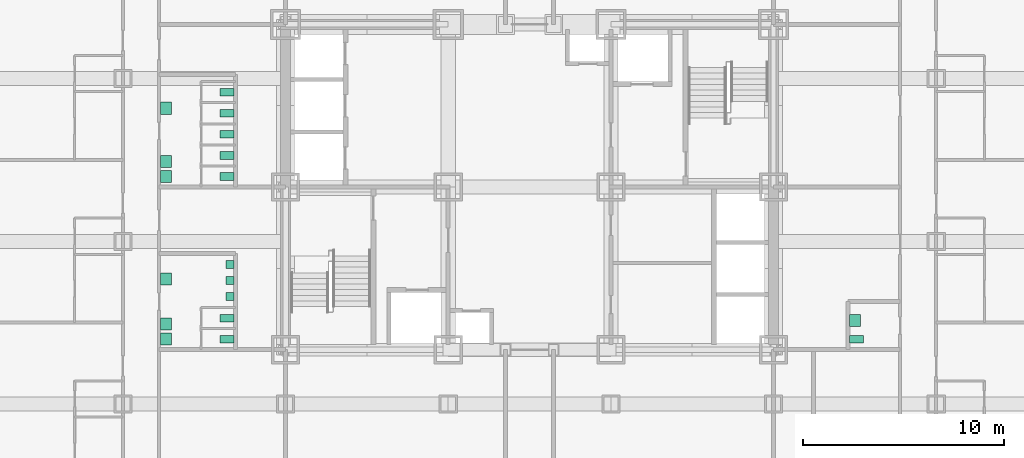
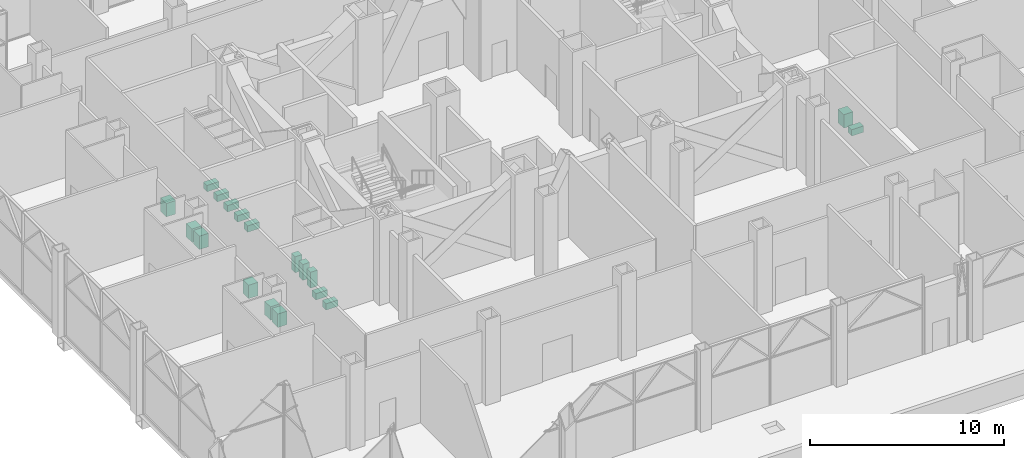
# One storey, part 26 of 26: 18 sanitary terminals.
"""IFC4 building model written with IfcOpenShell, lengths in metres."""

import ifcopenshell
import ifcopenshell.guid

model = None  # the IFC model being written
_history = None  # IfcOwnerHistory: only IFC2X3 demands one
_inside = {}  # id of a spatial element -> (the spatial element, [elements in it])
_under = {}  # id of a project, library or spatial element -> (it, [spatial elements below it])
_declared = {}  # id of a project -> (the project, [libraries it declares])
_typed = {}  # id of a type object -> (the type object, [elements of that type])
_made_of = {}  # id of a material, layer set ... -> (it, [elements and type objects made of it])


def new_model(schema):
    """Start an empty IFC model of exactly this schema.

    Asked for "IFC4X3", IfcOpenShell would pick the latest addendum, in which some entities
    have other attributes; the version numbers below select the first issue.
    IFC2X3 requires an IfcOwnerHistory on every rooted entity: one is made here for all.
    """
    global model, _history
    if schema == "IFC4X3":
        model = ifcopenshell.file(schema_version=(4, 3, 0, 0))
    else:
        model = ifcopenshell.file(schema=schema)
    _inside.clear()
    _under.clear()
    _declared.clear()
    _typed.clear()
    _made_of.clear()
    _history = None
    if model.schema == "IFC2X3":
        org = make("IfcOrganization", Name="unknown")
        user = make(
            "IfcPersonAndOrganization",
            ThePerson=make("IfcPerson", FamilyName="unknown"),
            TheOrganization=org,
        )
        app = make(
            "IfcApplication",
            ApplicationDeveloper=org,
            Version="unknown",
            ApplicationFullName="unknown",
            ApplicationIdentifier="unknown",
        )
        _history = make(
            "IfcOwnerHistory",
            OwningUser=user,
            OwningApplication=app,
            ChangeAction="ADDED",
            CreationDate=0,
        )
    return model


def make(cls, **values):
    """One entity of the class cls with the attributes given. An attribute that is None is left unset."""
    return model.create_entity(
        cls, **{name: value for name, value in values.items() if value is not None}
    )


def rooted(cls, **values):
    """An entity with a GlobalId (a new one), such as an element, a storey or a relation."""
    return make(cls, GlobalId=ifcopenshell.guid.new(), OwnerHistory=_history, **values)


def si_unit(unit_type, name, prefix=None):
    """IfcSIUnit, for example si_unit("LENGTHUNIT", "METRE", prefix="MILLI")."""
    return make("IfcSIUnit", UnitType=unit_type, Prefix=prefix, Name=name)


def assignment(units):
    """IfcUnitAssignment: the units of a project."""
    return None if units is None else make("IfcUnitAssignment", Units=units)


def point(xyz):
    """IfcCartesianPoint."""
    return None if xyz is None else make("IfcCartesianPoint", Coordinates=xyz)


def direction(xyz):
    """IfcDirection."""
    return None if xyz is None else make("IfcDirection", DirectionRatios=xyz)


def frame(location, z_axis=None, x_axis=None):
    """IfcAxis2Placement3D, a coordinate frame: its origin and axes. An axis left out is left unset."""
    return make(
        "IfcAxis2Placement3D",
        Location=point(location),
        Axis=direction(z_axis),
        RefDirection=direction(x_axis),
    )


def frame_2d(location, x_axis=None):
    """IfcAxis2Placement2D, a coordinate frame in the plane: its origin and x axis."""
    return make(
        "IfcAxis2Placement2D", Location=point(location), RefDirection=direction(x_axis)
    )


def origin():
    """The frame at (0, 0, 0) with its axes left unset."""
    return frame((0.0, 0.0, 0.0))


def origin_2d():
    """The frame at (0, 0) in the plane with its x axis left unset."""
    return frame_2d((0.0, 0.0))


def place(relative_to, where):
    """IfcLocalPlacement: puts the frame where relative to a parent placement (None: the world)."""
    return make(
        "IfcLocalPlacement", PlacementRelTo=relative_to, RelativePlacement=where
    )


def context(
    kind, dimensions, precision=None, world=None, true_north=None, identifier=None
):
    """IfcGeometricRepresentationContext, for example the 3D "Model" context."""
    return make(
        "IfcGeometricRepresentationContext",
        ContextIdentifier=identifier,
        ContextType=kind,
        CoordinateSpaceDimension=dimensions,
        Precision=precision,
        WorldCoordinateSystem=world,
        TrueNorth=true_north,
    )


def subcontext(parent, identifier, kind, view, scale=None):
    """IfcGeometricRepresentationSubContext, for example "Body" below "Model"."""
    return make(
        "IfcGeometricRepresentationSubContext",
        ContextIdentifier=identifier,
        ContextType=kind,
        ParentContext=parent,
        TargetScale=scale,
        TargetView=view,
    )


def project(units=None, contexts=None):
    """IfcProject with its units and contexts."""
    return rooted(
        "IfcProject",
        Name="project",
        RepresentationContexts=contexts,
        UnitsInContext=assignment(units),
    )


def spatial(cls, under=None, at=None, **own):
    """A site, building, storey or space (cls), placed at a placement, below another one or the project."""
    s = rooted(cls, ObjectPlacement=at, **own)
    if under is not None:
        _under.setdefault(under.id(), (under, []))[1].append(s)
    return s


def profile(cls, at=None, kind="AREA", **sizes):
    """A parametric profile (cls). Its sizes go by their IFC names, for example OverallWidth=200.0."""
    return make(cls, ProfileType=kind, Position=at, **sizes)


def rectangle(**sizes):
    """IfcRectangleProfileDef."""
    return profile("IfcRectangleProfileDef", **sizes)


def extrude(swept, where, along, depth):
    """IfcExtrudedAreaSolid: the profile swept, set in the frame where, extruded along a direction by depth."""
    return make(
        "IfcExtrudedAreaSolid",
        SweptArea=swept,
        Position=where,
        ExtrudedDirection=direction(along),
        Depth=depth,
    )


def shape(context_of_items, identifier, shape_type, items):
    """IfcShapeRepresentation: the items that make up one representation, for example the "Body"."""
    return make(
        "IfcShapeRepresentation",
        ContextOfItems=context_of_items,
        RepresentationIdentifier=identifier,
        RepresentationType=shape_type,
        Items=items,
    )


def material(Name=None, Category=None):
    """IfcMaterial."""
    return make("IfcMaterial", Name=Name, Category=Category)


def made_of(thing, what):
    """Note that an element or type object is made of a material, layer set ...; save() writes the relation."""
    if what is not None:
        _made_of.setdefault(what.id(), (what, []))[1].append(thing)
    return thing


def element(
    cls,
    number,
    at=None,
    inside=None,
    cuts=None,
    type_object=None,
    material=None,
    context=None,
    identifier="Body",
    shape_type=None,
    held_by="IfcProductDefinitionShape",
    body=None,
    shapes=None,
    **own,
):
    """One element of the class cls, such as IfcWall. Its Tag is "e" and its number.

    at: its placement. inside: the storey or other place that contains it. cuts: it is an
    opening in that element (IfcRelVoidsElement). A single representation is given by context,
    identifier, shape_type and body (its items); several are given by shapes. held_by: the class
    of the entity that holds the representations. save() writes the other relations.
    """
    e = rooted(cls, Tag="e%d" % number, ObjectPlacement=at, **own)
    if body is not None:
        shapes = [shape(context, identifier, shape_type, body)]
    if shapes is not None:
        e.Representation = make(held_by, Representations=shapes)
    if inside is not None:
        _inside.setdefault(inside.id(), (inside, []))[1].append(e)
    if cuts is not None:
        rooted(
            "IfcRelVoidsElement", RelatingBuildingElement=cuts, RelatedOpeningElement=e
        )
    if type_object is not None:
        _typed.setdefault(type_object.id(), (type_object, []))[1].append(e)
    return made_of(e, material)


def aggregate(whole, parts):
    """IfcRelAggregates: a whole, such as a stair, and the parts it consists of."""
    return rooted("IfcRelAggregates", RelatingObject=whole, RelatedObjects=parts)


def save(model, path):
    """Write the relations noted so far, then the file.

    IfcRelAggregates (storeys below a building ...), IfcRelContainedInSpatialStructure (elements
    in a storey), IfcRelDefinesByType, IfcRelAssociatesMaterial and IfcRelDeclares: one each for
    every whole, place, type object, material and project.
    """
    for whole, parts in _under.values():
        aggregate(whole, parts)
    for where, things in _inside.values():
        rooted(
            "IfcRelContainedInSpatialStructure",
            RelatedElements=things,
            RelatingStructure=where,
        )
    for kind, things in _typed.values():
        rooted("IfcRelDefinesByType", RelatedObjects=things, RelatingType=kind)
    for what, things in _made_of.values():
        rooted("IfcRelAssociatesMaterial", RelatedObjects=things, RelatingMaterial=what)
    for by, libraries in _declared.values():
        rooted("IfcRelDeclares", RelatingContext=by, RelatedDefinitions=libraries)
    model.write(path)


model = new_model("IFC4")

# Units and contexts
model_context = context("Model", 3, precision=1e-05, world=origin(), true_north=direction((0.0, 1.0)))
body_context = subcontext(model_context, "Body", "Model", "MODEL_VIEW")
ifc_project = project(units=[si_unit("LENGTHUNIT", "METRE"), si_unit("AREAUNIT", "SQUARE_METRE"), si_unit("VOLUMEUNIT", "CUBIC_METRE"), si_unit("PLANEANGLEUNIT", "RADIAN"), si_unit("MASSUNIT", "GRAM", prefix="KILO")], contexts=[model_context])

# Site, building, storey
site_placement = place(None, origin())
site = spatial("IfcSite", under=ifc_project, at=site_placement, CompositionType="ELEMENT")
building_placement = place(site_placement, origin())
building = spatial("IfcBuilding", under=site, at=building_placement, Name="Kopane Lantern Tower", CompositionType="ELEMENT")
storey_placement = place(building_placement, frame((0.0, 0.0, 98.0)))
storey = spatial("IfcBuildingStorey", under=building, at=storey_placement, Name="L24", CompositionType="ELEMENT", Elevation=98.0)

# Sanitary terminals
ifc_material = material(Name="Vitreous china")
for number, where, z_axis, x_axis, name in (
    (1, (13.27490234375, 24.824951171875, 0.0), (0.0, 0.0, 1.0), (1.0, 0.0, 0.0), "WC pan L24"),
    (2, (13.27490234375, 25.875, 0.0), (0.0, 0.0, 1.0), (1.0, 0.0, 0.0), "WC pan L24"),
):
    element("IfcSanitaryTerminal", number, at=place(storey_placement, frame(where, z_axis=z_axis, x_axis=x_axis)), inside=storey, material=ifc_material, Name=name, PredefinedType="TOILETPAN", context=body_context, shape_type="SweptSolid", body=[
        extrude(rectangle(XDim=0.699951171875, YDim=0.3798828125, at=origin_2d()), origin(), (0.0, 0.0, 1.0), 0.39990234375),
    ])
for number, where, z_axis, x_axis, name in (
    (3, (13.425048828125, 26.949951171875, 0.0), (0.0, 0.0, 1.0), (1.0, 0.0, 0.0), "Urinal L24"),
    (4, (13.425048828125, 27.75, 0.0), (0.0, 0.0, 1.0), (1.0, 0.0, 0.0), "Urinal L24"),
    (5, (13.425048828125, 28.550048828125, 0.0), (0.0, 0.0, 1.0), (1.0, 0.0, 0.0), "Urinal L24"),
):
    element("IfcSanitaryTerminal", number, at=place(storey_placement, frame(where, z_axis=z_axis, x_axis=x_axis)), inside=storey, material=ifc_material, Name=name, PredefinedType="URINAL", context=body_context, shape_type="SweptSolid", body=[
        extrude(rectangle(XDim=0.39990234375, YDim=0.39990234375, at=origin_2d()), origin(), (0.0, 0.0, 1.0), 1.0),
    ])
for number, where, z_axis, x_axis, name in (
    (6, (10.25, 24.824951171875, 0.0), (0.0, 0.0, 1.0), (1.0, 0.0, 0.0), "Wash basin L24"),
    (7, (10.25, 25.574951171875, 0.0), (0.0, 0.0, 1.0), (1.0, 0.0, 0.0), "Wash basin L24"),
    (8, (10.25, 27.824951171875, 0.0), (0.0, 0.0, 1.0), (1.0, 0.0, 0.0), "Wash basin L24"),
):
    element("IfcSanitaryTerminal", number, at=place(storey_placement, frame(where, z_axis=z_axis, x_axis=x_axis)), inside=storey, material=ifc_material, Name=name, PredefinedType="WASHHANDBASIN", context=body_context, shape_type="SweptSolid", body=[
        extrude(rectangle(XDim=0.550048828125, YDim=0.60009765625, at=origin_2d()), origin(), (0.0, 0.0, 1.0), 0.85009765625),
    ])
for number, where, z_axis, x_axis, name in (
    (9, (13.27490234375, 32.925048828125, 0.0), (0.0, 0.0, 1.0), (1.0, 0.0, 0.0), "WC pan L24"),
    (10, (13.27490234375, 33.97509765625, 0.0), (0.0, 0.0, 1.0), (1.0, 0.0, 0.0), "WC pan L24"),
    (11, (13.27490234375, 35.02490234375, 0.0), (0.0, 0.0, 1.0), (1.0, 0.0, 0.0), "WC pan L24"),
    (12, (13.27490234375, 36.074951171875, 0.0), (0.0, 0.0, 1.0), (1.0, 0.0, 0.0), "WC pan L24"),
    (13, (13.27490234375, 37.125, 0.0), (0.0, 0.0, 1.0), (1.0, 0.0, 0.0), "WC pan L24"),
):
    element("IfcSanitaryTerminal", number, at=place(storey_placement, frame(where, z_axis=z_axis, x_axis=x_axis)), inside=storey, material=ifc_material, Name=name, PredefinedType="TOILETPAN", context=body_context, shape_type="SweptSolid", body=[
        extrude(rectangle(XDim=0.699951171875, YDim=0.3798828125, at=origin_2d()), origin(), (0.0, 0.0, 1.0), 0.39990234375),
    ])
for number, where, z_axis, x_axis, name in (
    (14, (10.25, 32.925048828125, 0.0), (0.0, 0.0, 1.0), (1.0, 0.0, 0.0), "Wash basin L24"),
    (15, (10.25, 33.675048828125, 0.0), (0.0, 0.0, 1.0), (1.0, 0.0, 0.0), "Wash basin L24"),
    (16, (10.25, 36.324951171875, 0.0), (0.0, 0.0, 1.0), (1.0, 0.0, 0.0), "Wash basin L24"),
):
    element("IfcSanitaryTerminal", number, at=place(storey_placement, frame(where, z_axis=z_axis, x_axis=x_axis)), inside=storey, material=ifc_material, Name=name, PredefinedType="WASHHANDBASIN", context=body_context, shape_type="SweptSolid", body=[
        extrude(rectangle(XDim=0.550048828125, YDim=0.60009765625, at=origin_2d()), origin(), (0.0, 0.0, 1.0), 0.85009765625),
    ])
sanitary_terminal_1_placement = place(storey_placement, frame((44.625, 24.824951171875, 0.0), z_axis=(0.0, 0.0, 1.0), x_axis=(1.0, 0.0, 0.0)))
element("IfcSanitaryTerminal", 17, at=sanitary_terminal_1_placement, inside=storey, material=ifc_material, Name="WC pan L24", PredefinedType="TOILETPAN", context=body_context, shape_type="SweptSolid", body=[
    extrude(rectangle(XDim=0.699951171875, YDim=0.3798828125, at=origin_2d()), origin(), (0.0, 0.0, 1.0), 0.39990234375),
])
sanitary_terminal_2_placement = place(storey_placement, frame((44.550048828125, 25.75, 0.0), z_axis=(0.0, 0.0, 1.0), x_axis=(1.0, 0.0, 0.0)))
element("IfcSanitaryTerminal", 18, at=sanitary_terminal_2_placement, inside=storey, material=ifc_material, Name="Wash basin L24", PredefinedType="WASHHANDBASIN", context=body_context, shape_type="SweptSolid", body=[
    extrude(rectangle(XDim=0.550048828125, YDim=0.60009765625, at=origin_2d()), origin(), (0.0, 0.0, 1.0), 0.85009765625),
])

save(model, "model.ifc")
